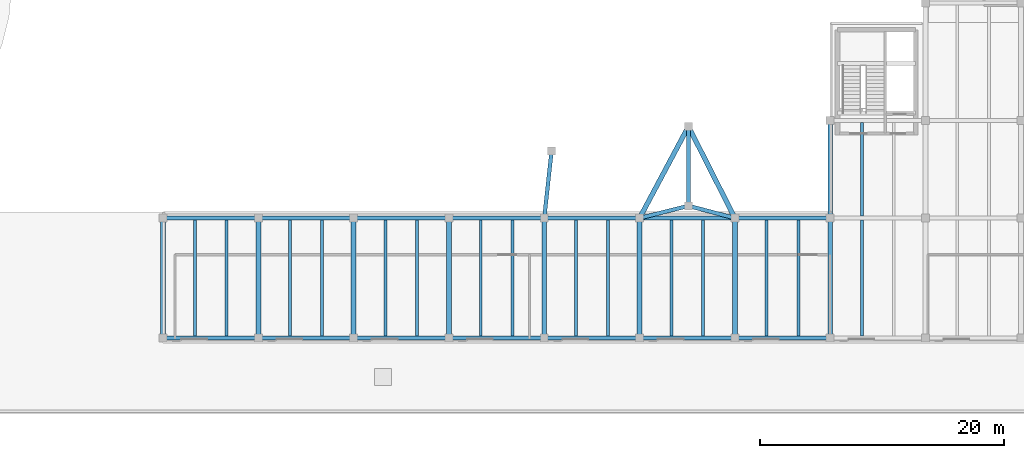
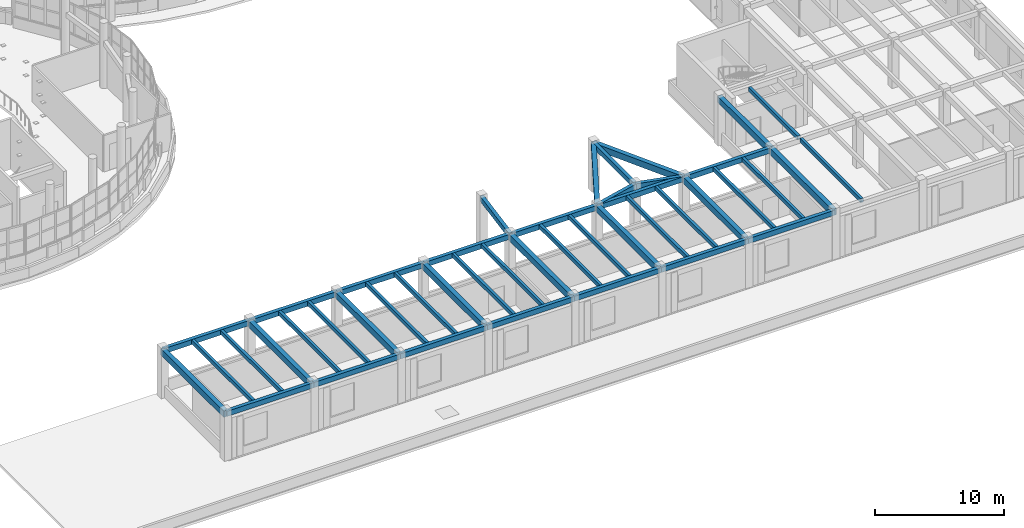
# One storey, part 7 of 105: 45 beams.
"""IFC4 building model written with IfcOpenShell, lengths in metres."""

from ifc_helpers import new_model, si_unit, direction, frame, origin, origin_2d, place, context, subcontext, project, spatial, rectangle, extrude, material, material_profile, profile_set, type_object, element, save


model = new_model("IFC4")

# Units and contexts
model_context = context("Model", 3, precision=1e-05, world=origin(), true_north=direction((0.0, 1.0)))
body_context = subcontext(model_context, "Body", "Model", "MODEL_VIEW")
ifc_project = project(units=[si_unit("LENGTHUNIT", "METRE"), si_unit("AREAUNIT", "SQUARE_METRE"), si_unit("VOLUMEUNIT", "CUBIC_METRE"), si_unit("PLANEANGLEUNIT", "RADIAN"), si_unit("MASSUNIT", "GRAM", prefix="KILO")], contexts=[model_context])

# Site, building, storey
site_placement = place(None, origin())
site = spatial("IfcSite", under=ifc_project, at=site_placement, CompositionType="ELEMENT")
building_placement = place(site_placement, origin())
building = spatial("IfcBuilding", under=site, at=building_placement, Name="Pelvatis Terrace Science Centre", CompositionType="ELEMENT")
storey_placement = place(building_placement, frame((0.0, 0.0, 10.199951171875)))
storey = spatial("IfcBuildingStorey", under=building, at=storey_placement, Name="L02", CompositionType="ELEMENT", Elevation=10.199951171875)

# Beams
ifc_material_1 = material(Name="Concrete C35/45", Category="concrete")
ifc_material_profile_1 = material_profile(ifc_material_1, rectangle(XDim=0.320068359375, YDim=0.47998046875, at=origin_2d()), Name="RC-BM 320x480")
ifc_profile_set_1 = profile_set([ifc_material_profile_1], Name="Concrete C35/45")
beam_type_1 = type_object("IfcBeamType", Name="BM-RC-320x480", PredefinedType="BEAM", material=ifc_profile_set_1)
for number, where, z_axis, x_axis, name in (
    (1, (78.0, 6.199951171875, 4.300048828125), (1.0, 0.0, 0.0), (0.0, 1.0, 0.0), "Beam BM-L02-2929"),
    (2, (78.0, 16.0, 4.300048828125), (1.0, 0.0, 0.0), (0.0, 1.0, 0.0), "Beam BM-L02-2930"),
    (3, (85.800048828125, 6.199951171875, 4.300048828125), (1.0, 0.0, 0.0), (0.0, 1.0, 0.0), "Beam BM-L02-2932"),
    (4, (85.800048828125, 16.0, 4.300048828125), (1.0, 0.0, 0.0), (0.0, 1.0, 0.0), "Beam BM-L02-2933"),
):
    element("IfcBeam", number, at=place(storey_placement, frame(where, z_axis=z_axis, x_axis=x_axis)), inside=storey, type_object=beam_type_1, Name=name, PredefinedType="BEAM", context=body_context, shape_type="SweptSolid", body=[
        extrude(rectangle(XDim=0.320068359375, YDim=0.47998046875, at=origin_2d()), origin(), (0.0, 0.0, 1.0), 7.800048828125),
    ])
for number, where, z_axis, x_axis, name in (
    (5, (93.60009765625, 6.199951171875, 4.300048828125), (1.0, 0.0, 0.0), (0.0, 1.0, 0.0), "Beam BM-L02-2935"),
    (6, (93.60009765625, 16.0, 4.300048828125), (1.0, 0.0, 0.0), (0.0, 1.0, 0.0), "Beam BM-L02-2936"),
):
    element("IfcBeam", number, at=place(storey_placement, frame(where, z_axis=z_axis, x_axis=x_axis)), inside=storey, type_object=beam_type_1, Name=name, PredefinedType="BEAM", context=body_context, shape_type="SweptSolid", body=[
        extrude(rectangle(XDim=0.320068359375, YDim=0.47998046875, at=origin_2d()), origin(), (0.0, 0.0, 1.0), 7.7998046875),
    ])
for number, where, z_axis, x_axis, name in (
    (7, (101.39990234375, 6.199951171875, 4.300048828125), (1.0, 0.0, 0.0), (0.0, 1.0, 0.0), "Beam BM-L02-2938"),
    (8, (101.39990234375, 16.0, 4.300048828125), (1.0, 0.0, 0.0), (0.0, 1.0, 0.0), "Beam BM-L02-2939"),
    (9, (109.199951171875, 6.199951171875, 4.300048828125), (1.0, 0.0, 0.0), (0.0, 1.0, 0.0), "Beam BM-L02-2941"),
    (10, (109.199951171875, 16.0, 4.300048828125), (1.0, 0.0, 0.0), (0.0, 1.0, 0.0), "Beam BM-L02-2942"),
):
    element("IfcBeam", number, at=place(storey_placement, frame(where, z_axis=z_axis, x_axis=x_axis)), inside=storey, type_object=beam_type_1, Name=name, PredefinedType="BEAM", context=body_context, shape_type="SweptSolid", body=[
        extrude(rectangle(XDim=0.320068359375, YDim=0.47998046875, at=origin_2d()), origin(), (0.0, 0.0, 1.0), 7.800048828125),
    ])
beam_1_placement = place(storey_placement, frame((109.199951171875, 16.0, 4.300048828125), z_axis=(0.108464953497, 0.994100273545, 0.0), x_axis=(-0.994100273545, 0.108464953497, 0.0)))
element("IfcBeam", 11, at=beam_1_placement, inside=storey, type_object=beam_type_1, Name="Beam BM-L02-2943", PredefinedType="BEAM", context=body_context, shape_type="SweptSolid", body=[
    extrude(rectangle(XDim=0.320068359375, YDim=0.47998046875, at=origin_2d()), origin(), (0.0, 0.0, 1.0), 5.53271484375),
])
for number, where, z_axis, x_axis, name in (
    (12, (117.0, 6.199951171875, 4.300048828125), (1.0, 0.0, 0.0), (0.0, 1.0, 0.0), "Beam BM-L02-2945"),
    (13, (117.0, 16.0, 4.300048828125), (1.0, 0.0, 0.0), (0.0, 1.0, 0.0), "Beam BM-L02-2946"),
):
    element("IfcBeam", number, at=place(storey_placement, frame(where, z_axis=z_axis, x_axis=x_axis)), inside=storey, type_object=beam_type_1, Name=name, PredefinedType="BEAM", context=body_context, shape_type="SweptSolid", body=[
        extrude(rectangle(XDim=0.320068359375, YDim=0.47998046875, at=origin_2d()), origin(), (0.0, 0.0, 1.0), 7.800048828125),
    ])
beam_2_placement = place(storey_placement, frame((117.0, 16.0, 4.300048828125), z_axis=(0.970142500145, 0.242535625036, 0.0), x_axis=(-0.242535625036, 0.970142500145, 0.0)))
element("IfcBeam", 14, at=beam_2_placement, inside=storey, type_object=beam_type_1, Name="Beam BM-L02-2947", PredefinedType="BEAM", context=body_context, shape_type="SweptSolid", body=[
    extrude(rectangle(XDim=0.320068359375, YDim=0.47998046875, at=origin_2d()), origin(), (0.0, 0.0, 1.0), 4.123046875),
])
for number, where, z_axis, x_axis, name in (
    (15, (124.800048828125, 6.199951171875, 4.300048828125), (1.0, 0.0, 0.0), (0.0, 1.0, 0.0), "Beam BM-L02-2950"),
    (16, (124.800048828125, 16.0, 4.300048828125), (1.0, 0.0, 0.0), (0.0, 1.0, 0.0), "Beam BM-L02-2951"),
):
    element("IfcBeam", number, at=place(storey_placement, frame(where, z_axis=z_axis, x_axis=x_axis)), inside=storey, type_object=beam_type_1, Name=name, PredefinedType="BEAM", context=body_context, shape_type="SweptSolid", body=[
        extrude(rectangle(XDim=0.320068359375, YDim=0.47998046875, at=origin_2d()), origin(), (0.0, 0.0, 1.0), 7.800048828125),
    ])
beam_3_placement = place(storey_placement, frame((124.800048828125, 16.0, 4.300048828125), z_axis=(-0.967075342069, 0.254490240997, 0.0), x_axis=(-0.254490240997, -0.967075342069, 0.0)))
element("IfcBeam", 17, at=beam_3_placement, inside=storey, type_object=beam_type_1, Name="Beam BM-L02-2952", PredefinedType="BEAM", context=body_context, shape_type="SweptSolid", body=[
    extrude(rectangle(XDim=0.320068359375, YDim=0.47998046875, at=origin_2d()), origin(), (0.0, 0.0, 1.0), 3.929443359375),
])
beam_4_placement = place(storey_placement, frame((121.0, 17.0, 4.300048828125), z_axis=(0.0, 1.0, 0.0), x_axis=(-1.0, 0.0, 0.0)))
element("IfcBeam", 18, at=beam_4_placement, inside=storey, type_object=beam_type_1, Name="Beam BM-L02-3007", PredefinedType="BEAM", context=body_context, shape_type="SweptSolid", body=[
    extrude(rectangle(XDim=0.320068359375, YDim=0.47998046875, at=origin_2d()), origin(), (0.0, 0.0, 1.0), 6.5),
])
ifc_material_2 = material(Name="Concrete C35/45", Category="concrete")
ifc_material_profile_2 = material_profile(ifc_material_2, rectangle(XDim=0.39990234375, YDim=0.60009765625, at=origin_2d()), Name="RC-BM 400x600")
ifc_profile_set_2 = profile_set([ifc_material_profile_2], Name="Concrete C35/45")
beam_type_2 = type_object("IfcBeamType", Name="BM-RC-400x600", PredefinedType="BEAM", material=ifc_profile_set_2)
for number, where, z_axis, x_axis, name in (
    (19, (78.0, 6.199951171875, 4.239990234375), (0.0, 1.0, 0.0), (-1.0, 0.0, 0.0), "Beam BM-L02-2928"),
    (20, (85.800048828125, 6.199951171875, 4.239990234375), (0.0, 1.0, 0.0), (-1.0, 0.0, 0.0), "Beam BM-L02-2931"),
    (21, (93.60009765625, 6.199951171875, 4.239990234375), (0.0, 1.0, 0.0), (-1.0, 0.0, 0.0), "Beam BM-L02-2934"),
    (22, (101.39990234375, 6.199951171875, 4.239990234375), (0.0, 1.0, 0.0), (-1.0, 0.0, 0.0), "Beam BM-L02-2937"),
    (23, (109.199951171875, 6.199951171875, 4.239990234375), (0.0, 1.0, 0.0), (-1.0, 0.0, 0.0), "Beam BM-L02-2940"),
    (24, (117.0, 6.199951171875, 4.239990234375), (0.0, 1.0, 0.0), (-1.0, 0.0, 0.0), "Beam BM-L02-2944"),
):
    element("IfcBeam", number, at=place(storey_placement, frame(where, z_axis=z_axis, x_axis=x_axis)), inside=storey, type_object=beam_type_2, Name=name, PredefinedType="BEAM", context=body_context, shape_type="SweptSolid", body=[
        extrude(rectangle(XDim=0.39990234375, YDim=0.60009765625, at=origin_2d()), origin(), (0.0, 0.0, 1.0), 9.800048828125),
    ])
beam_5_placement = place(storey_placement, frame((117.0, 16.0, 4.239990234375), z_axis=(0.470588235294, 0.882352941176, 0.0), x_axis=(-0.882352941176, 0.470588235294, 0.0)))
element("IfcBeam", 25, at=beam_5_placement, inside=storey, type_object=beam_type_2, Name="Beam BM-L02-2948", PredefinedType="BEAM", context=body_context, shape_type="SweptSolid", body=[
    extrude(rectangle(XDim=0.39990234375, YDim=0.60009765625, at=origin_2d()), origin(), (0.0, 0.0, 1.0), 8.5),
])
beam_6_placement = place(storey_placement, frame((124.800048828125, 6.199951171875, 4.239990234375), z_axis=(0.0, 1.0, 0.0), x_axis=(-1.0, 0.0, 0.0)))
element("IfcBeam", 26, at=beam_6_placement, inside=storey, type_object=beam_type_2, Name="Beam BM-L02-2949", PredefinedType="BEAM", context=body_context, shape_type="SweptSolid", body=[
    extrude(rectangle(XDim=0.39990234375, YDim=0.60009765625, at=origin_2d()), origin(), (0.0, 0.0, 1.0), 9.800048828125),
])
beam_7_placement = place(storey_placement, frame((124.800048828125, 16.0, 4.239990234375), z_axis=(-0.451969414379, 0.892033434612, 0.0), x_axis=(-0.892033434612, -0.451969414379, 0.0)))
element("IfcBeam", 27, at=beam_7_placement, inside=storey, type_object=beam_type_2, Name="Beam BM-L02-2953", PredefinedType="BEAM", context=body_context, shape_type="SweptSolid", body=[
    extrude(rectangle(XDim=0.39990234375, YDim=0.60009765625, at=origin_2d()), origin(), (0.0, 0.0, 1.0), 8.40771484375),
])
beam_8_placement = place(storey_placement, frame((132.60009765625, 6.199951171875, 4.239990234375), z_axis=(0.0, 1.0, 0.0), x_axis=(-1.0, 0.0, 0.0)))
element("IfcBeam", 28, at=beam_8_placement, inside=storey, type_object=beam_type_2, Name="Beam BM-L02-2954", PredefinedType="BEAM", context=body_context, shape_type="SweptSolid", body=[
    extrude(rectangle(XDim=0.39990234375, YDim=0.60009765625, at=origin_2d()), origin(), (0.0, 0.0, 1.0), 9.800048828125),
])
beam_9_placement = place(storey_placement, frame((132.60009765625, 16.0, 4.239990234375), z_axis=(0.0, 1.0, 0.0), x_axis=(-1.0, 0.0, 0.0)))
element("IfcBeam", 29, at=beam_9_placement, inside=storey, type_object=beam_type_2, Name="Beam BM-L02-2956", PredefinedType="BEAM", context=body_context, shape_type="SweptSolid", body=[
    extrude(rectangle(XDim=0.39990234375, YDim=0.60009765625, at=origin_2d()), origin(), (0.0, 0.0, 1.0), 8.0),
])
ifc_material_3 = material(Name="Concrete C35/45", Category="concrete")
ifc_material_profile_3 = material_profile(ifc_material_3, rectangle(XDim=0.239990234375, YDim=0.3798828125, at=origin_2d()), Name="RC-JST 240x380")
ifc_profile_set_3 = profile_set([ifc_material_profile_3], Name="Concrete C35/45")
beam_type_3 = type_object("IfcBeamType", Name="JST-RC-240x380", PredefinedType="JOIST", material=ifc_profile_set_3)
for number, where, z_axis, x_axis, name in (
    (30, (80.60009765625, 6.360107421875, 4.35009765625), (0.0, 1.0, 0.0), (-1.0, 0.0, 0.0), "Secondary floor joist J-L02-2151"),
    (31, (83.199951171875, 6.360107421875, 4.35009765625), (0.0, 1.0, 0.0), (-1.0, 0.0, 0.0), "Secondary floor joist J-L02-2152"),
    (32, (88.39990234375, 6.360107421875, 4.35009765625), (0.0, 1.0, 0.0), (-1.0, 0.0, 0.0), "Secondary floor joist J-L02-2153"),
    (33, (91.0, 6.360107421875, 4.35009765625), (0.0, 1.0, 0.0), (-1.0, 0.0, 0.0), "Secondary floor joist J-L02-2154"),
    (34, (96.199951171875, 6.360107421875, 4.35009765625), (0.0, 1.0, 0.0), (-1.0, 0.0, 0.0), "Secondary floor joist J-L02-2155"),
    (35, (98.800048828125, 6.360107421875, 4.35009765625), (0.0, 1.0, 0.0), (-1.0, 0.0, 0.0), "Secondary floor joist J-L02-2156"),
    (36, (104.0, 6.360107421875, 4.35009765625), (0.0, 1.0, 0.0), (-1.0, 0.0, 0.0), "Secondary floor joist J-L02-2157"),
    (37, (106.60009765625, 6.360107421875, 4.35009765625), (0.0, 1.0, 0.0), (-1.0, 0.0, 0.0), "Secondary floor joist J-L02-2158"),
    (38, (111.800048828125, 6.360107421875, 4.35009765625), (0.0, 1.0, 0.0), (-1.0, 0.0, 0.0), "Secondary floor joist J-L02-2159"),
    (39, (114.39990234375, 6.360107421875, 4.35009765625), (0.0, 1.0, 0.0), (-1.0, 0.0, 0.0), "Secondary floor joist J-L02-2160"),
    (40, (119.60009765625, 6.360107421875, 4.35009765625), (0.0, 1.0, 0.0), (-1.0, 0.0, 0.0), "Secondary floor joist J-L02-2161"),
    (41, (122.199951171875, 6.360107421875, 4.35009765625), (0.0, 1.0, 0.0), (-1.0, 0.0, 0.0), "Secondary floor joist J-L02-2162"),
    (42, (127.39990234375, 6.360107421875, 4.35009765625), (0.0, 1.0, 0.0), (-1.0, 0.0, 0.0), "Secondary floor joist J-L02-2163"),
    (43, (130.0, 6.360107421875, 4.35009765625), (0.0, 1.0, 0.0), (-1.0, 0.0, 0.0), "Secondary floor joist J-L02-2164"),
    (44, (135.199951171875, 6.360107421875, 4.35009765625), (0.0, 1.0, 0.0), (-1.0, 0.0, 0.0), "Secondary floor joist J-L02-2165"),
):
    element("IfcBeam", number, at=place(storey_placement, frame(where, z_axis=z_axis, x_axis=x_axis)), inside=storey, type_object=beam_type_3, Name=name, PredefinedType="JOIST", context=body_context, shape_type="SweptSolid", body=[
        extrude(rectangle(XDim=0.239990234375, YDim=0.3798828125, at=origin_2d()), origin(), (0.0, 0.0, 1.0), 9.47998046875),
    ])
beam_10_placement = place(storey_placement, frame((135.199951171875, 16.159912109375, 4.35009765625), z_axis=(0.0, 1.0, 0.0), x_axis=(-1.0, 0.0, 0.0)))
element("IfcBeam", 45, at=beam_10_placement, inside=storey, type_object=beam_type_3, Name="Secondary floor joist J-L02-2171", PredefinedType="JOIST", context=body_context, shape_type="SweptSolid", body=[
    extrude(rectangle(XDim=0.239990234375, YDim=0.3798828125, at=origin_2d()), origin(), (0.0, 0.0, 1.0), 7.68017578125),
])

save(model, "model.ifc")
